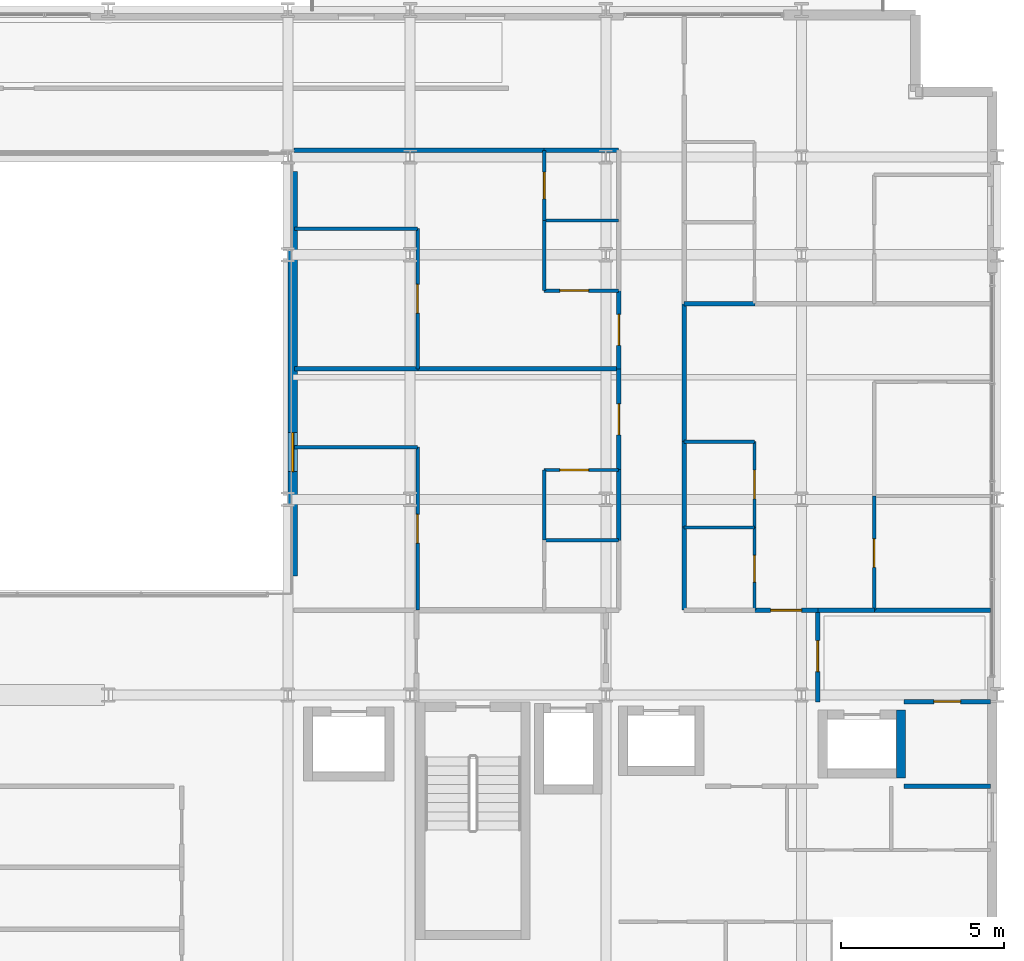
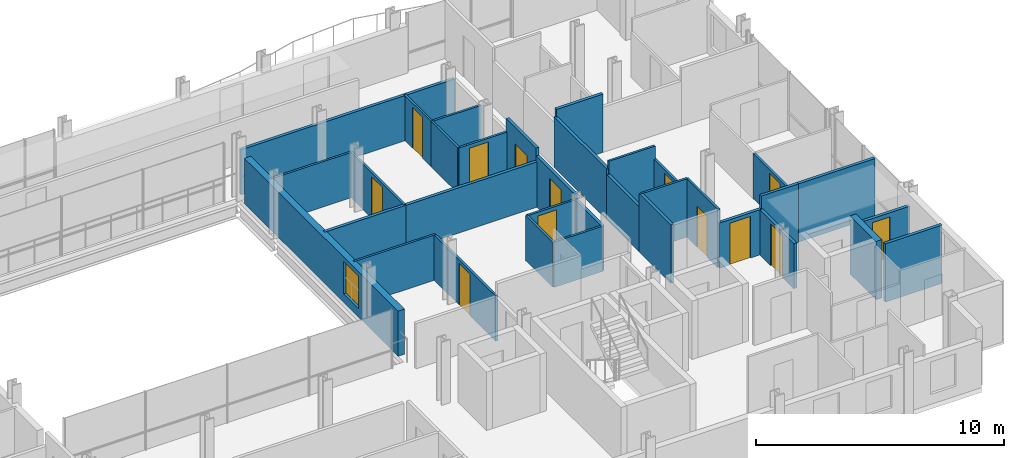
# One storey, part 35 of 40: 35 walls, 13 doors, 1 window, 14 openings.
"""IFC4 building model written with IfcOpenShell, lengths in metres."""

from ifc_helpers import new_model, si_unit, direction, frame, frame_2d, origin, place, context, subcontext, project, spatial, rectangle, extrude, material, layer, layer_set, type_object, element, fill, save


model = new_model("IFC4")

# Units and contexts
model_context = context("Model", 3, precision=1e-05, world=origin(), true_north=direction((0.0, 1.0)))
body_context = subcontext(model_context, "Body", "Model", "MODEL_VIEW")
ifc_project = project(units=[si_unit("LENGTHUNIT", "METRE"), si_unit("AREAUNIT", "SQUARE_METRE"), si_unit("VOLUMEUNIT", "CUBIC_METRE"), si_unit("PLANEANGLEUNIT", "RADIAN"), si_unit("MASSUNIT", "GRAM", prefix="KILO")], contexts=[model_context])

# Site, building, storey
site_placement = place(None, origin())
site = spatial("IfcSite", under=ifc_project, at=site_placement, CompositionType="ELEMENT")
building_placement = place(site_placement, origin())
building = spatial("IfcBuilding", under=site, at=building_placement, Name="Brevholm Reach", CompositionType="ELEMENT")
storey_placement = place(building_placement, frame((0.0, 0.0, 62.10009765625)))
storey = spatial("IfcBuildingStorey", under=building, at=storey_placement, Name="L17", CompositionType="ELEMENT", Elevation=62.10009765625)

# Wall
ifc_material_1 = material(Name="Concrete C50/60", Category="concrete")
ifc_layer_1 = layer(ifc_material_1, 0.280029296875)
ifc_layer_set_1 = layer_set([ifc_layer_1], Name="Concrete C50/60")
wall_type_1 = type_object("IfcWallType", Name="WAL-COR-280", PredefinedType="SHEAR", material=ifc_layer_set_1)
wall_1_placement = place(storey_placement, frame((57.050048828125, 7.4599609375, 0.0), z_axis=(0.0, 0.0, 1.0), x_axis=(0.0, 1.0, 0.0)))
element("IfcWall", 1, at=wall_1_placement, inside=storey, type_object=wall_type_1, Name="L17 Lift PL-L2 Shaft Wall E", PredefinedType="SHEAR", context=body_context, shape_type="SweptSolid", body=[
    extrude(rectangle(XDim=2.080078125, YDim=0.280029296875, at=frame_2d((1.0400390625, 0.0))), origin(), (0.0, 0.0, 1.0), 2.869873046875),
])

# Wall, opening, window
ifc_material_2 = material(Name="Concrete C40/50", Category="concrete")
ifc_layer_2 = layer(ifc_material_2, 0.300048828125)
ifc_layer_set_2 = layer_set([ifc_layer_2], Name="Concrete C40/50")
wall_type_2 = type_object("IfcWallType", Name="WAL-EXT-300", PredefinedType="STANDARD", material=ifc_layer_set_2)
wall_2_placement = place(storey_placement, frame((38.39990234375, 13.64990234375, 0.0), z_axis=(0.0, 0.0, 1.0), x_axis=(0.0, 1.0, 0.0)))
wall_2 = element("IfcWall", 2, at=wall_2_placement, inside=storey, type_object=wall_type_2, Name="L17 Facade Wall WAL-L17-AT-E", PredefinedType="STANDARD", context=body_context, shape_type="SweptSolid", body=[
    extrude(rectangle(XDim=12.400146484375, YDim=0.300048828125, at=frame_2d((6.2001953125, 0.0))), origin(), (0.0, 0.0, 1.0), 2.224609375),
])
opening_1_placement = place(wall_2_placement, frame((3.199951171875, 0.0, 0.405029296875)))
opening_1 = element("IfcOpeningElement", 3, at=opening_1_placement, cuts=wall_2, Name="Opening WN-08", PredefinedType="OPENING", context=body_context, shape_type="SweptSolid", body=[
    extrude(rectangle(XDim=1.199951171875, YDim=1.60009765625, at=frame_2d((0.60009765625, 0.800048828125))), frame((0.0, 0.159912109375, 0.0), z_axis=(0.0, -1.0, 0.0), x_axis=(1.0, 0.0, 0.0)), (0.0, 0.0, 1.0), 0.320068359375),
])
ifc_material_3 = material(Name="Dark Anodised Aluminium and Solar-Control IGU Glass", Category="aluminium")
window_type = type_object("IfcWindowType", Name="WIN-RES-1200", PartitioningType="SINGLE_PANEL", PredefinedType="WINDOW", material=ifc_material_3)
window_placement = place(opening_1_placement, origin())
window = element("IfcWindow", 4, at=window_placement, inside=storey, type_object=window_type, Name="L17 Window WIN-L17-AT-E1", OverallHeight=1.60009765625, OverallWidth=1.199951171875, PartitioningType="SINGLE_PANEL", PredefinedType="WINDOW", context=body_context, shape_type="SweptSolid", body=[
    extrude(rectangle(XDim=1.199951171875, YDim=1.60009765625, at=frame_2d((0.60009765625, 0.800048828125))), frame((0.0, 0.030029296875, 0.0), z_axis=(0.0, -1.0, 0.0), x_axis=(1.0, 0.0, 0.0)), (0.0, 0.0, 1.0), 0.06005859375),
])
fill(opening_1, window)

# Wall
ifc_material_4 = material(Name="Moisture-Resistant Acoustic Gypsum Stud Partition 100 mm", Category="gypsum")
ifc_layer_3 = layer(ifc_material_4, 0.10009765625)
ifc_layer_set_3 = layer_set([ifc_layer_3], Name="Moisture-Resistant Acoustic Gypsum Stud Partition 100 mm")
wall_type_3 = type_object("IfcWallType", Name="WAL-PRT-100", PredefinedType="PARTITIONING", material=ifc_layer_set_3)
wall_3_placement = place(storey_placement, frame((46.112060546875, 14.75, 0.0), z_axis=(0.0, 0.0, 1.0), x_axis=(1.0, 0.0, 0.0)))
element("IfcWall", 5, at=wall_3_placement, inside=storey, type_object=wall_type_3, Name="L17 Internal Partition 117", PredefinedType="PARTITIONING", context=body_context, shape_type="SweptSolid", body=[
    extrude(rectangle(XDim=2.283935546875, YDim=0.10009765625, at=frame_2d((1.14208984375, 0.0))), origin(), (0.0, 0.0, 1.0), 2.224609375),
])

# Wall, opening, door
wall_4_placement = place(storey_placement, frame((46.112060546875, 16.89990234375, 0.0), z_axis=(0.0, 0.0, 1.0), x_axis=(1.0, 0.0, 0.0)))
wall_4 = element("IfcWall", 6, at=wall_4_placement, inside=storey, type_object=wall_type_3, Name="L17 Internal Partition 119", PredefinedType="PARTITIONING", context=body_context, shape_type="SweptSolid", body=[
    extrude(rectangle(XDim=2.283935546875, YDim=0.10009765625, at=frame_2d((1.14208984375, 0.0))), origin(), (0.0, 0.0, 1.0), 2.224609375),
])
opening_2_placement = place(wall_4_placement, frame((0.48193359375, 0.0, 0.0)))
opening_2 = element("IfcOpeningElement", 7, at=opening_2_placement, cuts=wall_4, Name="Opening ID-01", PredefinedType="OPENING", context=body_context, shape_type="SweptSolid", body=[
    extrude(rectangle(XDim=0.8798828125, YDim=2.0400390625, at=frame_2d((0.43994140625, 1.02001953125))), frame((0.0, 0.06005859375, 0.0), z_axis=(0.0, -1.0, 0.0), x_axis=(1.0, 0.0, 0.0)), (0.0, 0.0, 1.0), 0.1201171875),
])
ifc_material_5 = material(Name="Lacquered Ash Solid-Core Acoustic Internal Door", Category="timber")
door_type_1 = type_object("IfcDoorType", Name="DOR-INT-880", OperationType="NOTDEFINED", PredefinedType="DOOR", material=ifc_material_5)
door_1_placement = place(opening_2_placement, origin())
door_1 = element("IfcDoor", 8, at=door_1_placement, inside=storey, type_object=door_type_1, Name="L17 Internal Door 046", OperationType="SINGLE_SWING_RIGHT", OverallHeight=2.0400390625, OverallWidth=0.8798828125, PredefinedType="DOOR", context=body_context, shape_type="SweptSolid", body=[
    extrude(rectangle(XDim=0.8798828125, YDim=2.0400390625, at=frame_2d((0.43994140625, 1.02001953125))), frame((0.0, 0.02490234375, 0.0), z_axis=(0.0, -1.0, 0.0), x_axis=(1.0, 0.0, 0.0)), (0.0, 0.0, 1.0), 0.050048828125),
])
fill(opening_2, door_1)

# Wall
wall_5_placement = place(storey_placement, frame((46.112060546875, 14.75390625, 0.0), z_axis=(0.0, 0.0, 1.0), x_axis=(0.0, 1.0, 0.0)))
element("IfcWall", 9, at=wall_5_placement, inside=storey, type_object=wall_type_3, Name="L17 Internal Partition 120", PredefinedType="PARTITIONING", context=body_context, shape_type="SweptSolid", body=[
    extrude(rectangle(XDim=2.14599609375, YDim=0.10009765625, at=frame_2d((1.072998046875, 0.0))), origin(), (0.0, 0.0, 1.0), 2.224609375),
])

# Wall, opening, door
wall_6_placement = place(storey_placement, frame((42.23095703125, 12.60400390625, 0.0), z_axis=(0.0, 0.0, 1.0), x_axis=(0.0, 1.0, 0.0)))
wall_6 = element("IfcWall", 10, at=wall_6_placement, inside=storey, type_object=wall_type_3, Name="L17 Internal Partition 121", PredefinedType="PARTITIONING", context=body_context, shape_type="SweptSolid", body=[
    extrude(rectangle(XDim=4.99609375, YDim=0.10009765625, at=frame_2d((2.498046875, 0.0))), origin(), (0.0, 0.0, 1.0), 2.224609375),
])
opening_3_placement = place(wall_6_placement, frame((2.05810546875, 0.0, 0.0)))
opening_3 = element("IfcOpeningElement", 11, at=opening_3_placement, cuts=wall_6, Name="Opening ID-01", PredefinedType="OPENING", context=body_context, shape_type="SweptSolid", body=[
    extrude(rectangle(XDim=0.8798828125, YDim=2.0400390625, at=frame_2d((0.43994140625, 1.02001953125))), frame((0.0, 0.06005859375, 0.0), z_axis=(0.0, -1.0, 0.0), x_axis=(1.0, 0.0, 0.0)), (0.0, 0.0, 1.0), 0.1201171875),
])
door_2_placement = place(opening_3_placement, origin())
door_2 = element("IfcDoor", 12, at=door_2_placement, inside=storey, type_object=door_type_1, Name="L17 Internal Door 047", OperationType="SINGLE_SWING_LEFT", OverallHeight=2.0400390625, OverallWidth=0.8798828125, PredefinedType="DOOR", context=body_context, shape_type="SweptSolid", body=[
    extrude(rectangle(XDim=0.8798828125, YDim=2.0400390625, at=frame_2d((0.43994140625, 1.02001953125))), frame((0.0, 0.02490234375, 0.0), z_axis=(0.0, -1.0, 0.0), x_axis=(1.0, 0.0, 0.0)), (0.0, 0.0, 1.0), 0.050048828125),
])
fill(opening_3, door_2)

# Walls
wall_7_placement = place(storey_placement, frame((38.449951171875, 17.60009765625, 0.0), z_axis=(0.0, 0.0, 1.0), x_axis=(1.0, 0.0, 0.0)))
element("IfcWall", 13, at=wall_7_placement, inside=storey, type_object=wall_type_3, Name="L17 Internal Partition 122", PredefinedType="PARTITIONING", context=body_context, shape_type="SweptSolid", body=[
    extrude(rectangle(XDim=3.781005859375, YDim=0.10009765625, at=frame_2d((1.890625, 0.0))), origin(), (0.0, 0.0, 1.0), 2.224609375),
])
wall_8_placement = place(storey_placement, frame((46.112060546875, 24.550048828125, 0.0), z_axis=(0.0, 0.0, 1.0), x_axis=(1.0, 0.0, 0.0)))
element("IfcWall", 14, at=wall_8_placement, inside=storey, type_object=wall_type_3, Name="L17 Internal Partition 125", PredefinedType="PARTITIONING", context=body_context, shape_type="SweptSolid", body=[
    extrude(rectangle(XDim=2.283935546875, YDim=0.10009765625, at=frame_2d((1.14208984375, 0.0))), origin(), (0.0, 0.0, 1.0), 2.224609375),
])

# Wall, opening, door
wall_9_placement = place(storey_placement, frame((46.112060546875, 24.550048828125, 0.0), z_axis=(0.0, 0.0, 1.0), x_axis=(0.0, 1.0, 0.0)))
wall_9 = element("IfcWall", 15, at=wall_9_placement, inside=storey, type_object=wall_type_3, Name="L17 Internal Partition 126", PredefinedType="PARTITIONING", context=body_context, shape_type="SweptSolid", body=[
    extrude(rectangle(XDim=2.14599609375, YDim=0.10009765625, at=frame_2d((1.072998046875, 0.0))), origin(), (0.0, 0.0, 1.0), 2.224609375),
])
opening_4_placement = place(wall_9_placement, frame((0.6630859375, 0.0, 0.0)))
opening_4 = element("IfcOpeningElement", 16, at=opening_4_placement, cuts=wall_9, Name="Opening ID-03", PredefinedType="OPENING", context=body_context, shape_type="SweptSolid", body=[
    extrude(rectangle(XDim=0.820068359375, YDim=2.02001953125, at=frame_2d((0.41015625, 1.010009765625))), frame((0.0, 0.06005859375, 0.0), z_axis=(0.0, -1.0, 0.0), x_axis=(1.0, 0.0, 0.0)), (0.0, 0.0, 1.0), 0.1201171875),
])
ifc_material_6 = material(Name="Moisture-Resistant Painted Timber Internal Bathroom Door", Category="wood")
door_type_2 = type_object("IfcDoorType", Name="DOR-BATH-820", OperationType="NOTDEFINED", PredefinedType="DOOR", material=ifc_material_6)
door_3_placement = place(opening_4_placement, origin())
door_3 = element("IfcDoor", 17, at=door_3_placement, inside=storey, type_object=door_type_2, Name="L17 Internal Door 048", OperationType="SINGLE_SWING_RIGHT", OverallHeight=2.02001953125, OverallWidth=0.820068359375, PredefinedType="DOOR", context=body_context, shape_type="SweptSolid", body=[
    extrude(rectangle(XDim=0.820068359375, YDim=2.02001953125, at=frame_2d((0.41015625, 1.010009765625))), frame((0.0, 0.02490234375, 0.0), z_axis=(0.0, -1.0, 0.0), x_axis=(1.0, 0.0, 0.0)), (0.0, 0.0, 1.0), 0.050048828125),
])
fill(opening_4, door_3)

wall_10_placement = place(storey_placement, frame((46.112060546875, 22.39990234375, 0.0), z_axis=(0.0, 0.0, 1.0), x_axis=(1.0, 0.0, 0.0)))
wall_10 = element("IfcWall", 18, at=wall_10_placement, inside=storey, type_object=wall_type_3, Name="L17 Internal Partition 127", PredefinedType="PARTITIONING", context=body_context, shape_type="SweptSolid", body=[
    extrude(rectangle(XDim=2.283935546875, YDim=0.10009765625, at=frame_2d((1.14208984375, 0.0))), origin(), (0.0, 0.0, 1.0), 2.224609375),
])
opening_5_placement = place(wall_10_placement, frame((0.48193359375, 0.0, 0.0)))
opening_5 = element("IfcOpeningElement", 19, at=opening_5_placement, cuts=wall_10, Name="Opening ID-01", PredefinedType="OPENING", context=body_context, shape_type="SweptSolid", body=[
    extrude(rectangle(XDim=0.8798828125, YDim=2.0400390625, at=frame_2d((0.43994140625, 1.02001953125))), frame((0.0, 0.06005859375, 0.0), z_axis=(0.0, -1.0, 0.0), x_axis=(1.0, 0.0, 0.0)), (0.0, 0.0, 1.0), 0.1201171875),
])
door_4_placement = place(opening_5_placement, origin())
door_4 = element("IfcDoor", 20, at=door_4_placement, inside=storey, type_object=door_type_1, Name="L17 Internal Door 049", OperationType="SINGLE_SWING_LEFT", OverallHeight=2.0400390625, OverallWidth=0.8798828125, PredefinedType="DOOR", context=body_context, shape_type="SweptSolid", body=[
    extrude(rectangle(XDim=0.8798828125, YDim=2.0400390625, at=frame_2d((0.43994140625, 1.02001953125))), frame((0.0, 0.02490234375, 0.0), z_axis=(0.0, -1.0, 0.0), x_axis=(1.0, 0.0, 0.0)), (0.0, 0.0, 1.0), 0.050048828125),
])
fill(opening_5, door_4)

# Wall
wall_11_placement = place(storey_placement, frame((46.112060546875, 22.39990234375, 0.0), z_axis=(0.0, 0.0, 1.0), x_axis=(0.0, 1.0, 0.0)))
element("IfcWall", 21, at=wall_11_placement, inside=storey, type_object=wall_type_3, Name="L17 Internal Partition 128", PredefinedType="PARTITIONING", context=body_context, shape_type="SweptSolid", body=[
    extrude(rectangle(XDim=2.14599609375, YDim=0.10009765625, at=frame_2d((1.072998046875, 0.0))), origin(), (0.0, 0.0, 1.0), 2.224609375),
])

# Wall, opening, door
wall_12_placement = place(storey_placement, frame((42.23095703125, 20.00390625, 0.0), z_axis=(0.0, 0.0, 1.0), x_axis=(0.0, 1.0, 0.0)))
wall_12 = element("IfcWall", 22, at=wall_12_placement, inside=storey, type_object=wall_type_3, Name="L17 Internal Partition 129", PredefinedType="PARTITIONING", context=body_context, shape_type="SweptSolid", body=[
    extrude(rectangle(XDim=4.296142578125, YDim=0.10009765625, at=frame_2d((2.14794921875, 0.0))), origin(), (0.0, 0.0, 1.0), 2.224609375),
])
opening_6_placement = place(wall_12_placement, frame((1.7080078125, 0.0, 0.0)))
opening_6 = element("IfcOpeningElement", 23, at=opening_6_placement, cuts=wall_12, Name="Opening ID-01", PredefinedType="OPENING", context=body_context, shape_type="SweptSolid", body=[
    extrude(rectangle(XDim=0.8798828125, YDim=2.0400390625, at=frame_2d((0.43994140625, 1.02001953125))), frame((0.0, 0.06005859375, 0.0), z_axis=(0.0, -1.0, 0.0), x_axis=(1.0, 0.0, 0.0)), (0.0, 0.0, 1.0), 0.1201171875),
])
door_5_placement = place(opening_6_placement, origin())
door_5 = element("IfcDoor", 24, at=door_5_placement, inside=storey, type_object=door_type_1, Name="L17 Internal Door 050", OperationType="SINGLE_SWING_RIGHT", OverallHeight=2.0400390625, OverallWidth=0.8798828125, PredefinedType="DOOR", context=body_context, shape_type="SweptSolid", body=[
    extrude(rectangle(XDim=0.8798828125, YDim=2.0400390625, at=frame_2d((0.43994140625, 1.02001953125))), frame((0.0, 0.02490234375, 0.0), z_axis=(0.0, -1.0, 0.0), x_axis=(1.0, 0.0, 0.0)), (0.0, 0.0, 1.0), 0.050048828125),
])
fill(opening_6, door_5)

# Walls
wall_13_placement = place(storey_placement, frame((38.449951171875, 24.300048828125, 0.0), z_axis=(0.0, 0.0, 1.0), x_axis=(1.0, 0.0, 0.0)))
element("IfcWall", 25, at=wall_13_placement, inside=storey, type_object=wall_type_3, Name="L17 Internal Partition 130", PredefinedType="PARTITIONING", context=body_context, shape_type="SweptSolid", body=[
    extrude(rectangle(XDim=3.781005859375, YDim=0.10009765625, at=frame_2d((1.890625, 0.0))), origin(), (0.0, 0.0, 1.0), 2.224609375),
])
wall_14_placement = place(storey_placement, frame((50.404052734375, 15.137939453125, 0.0), z_axis=(0.0, 0.0, 1.0), x_axis=(1.0, 0.0, 0.0)))
element("IfcWall", 26, at=wall_14_placement, inside=storey, type_object=wall_type_3, Name="L17 Internal Partition 131", PredefinedType="PARTITIONING", context=body_context, shape_type="SweptSolid", body=[
    extrude(rectangle(XDim=2.157958984375, YDim=0.10009765625, at=frame_2d((1.0791015625, 0.0))), origin(), (0.0, 0.0, 1.0), 2.869873046875),
])

# Wall, opening, door
wall_15_placement = place(storey_placement, frame((52.56201171875, 12.60400390625, 0.0), z_axis=(0.0, 0.0, 1.0), x_axis=(0.0, 1.0, 0.0)))
wall_15 = element("IfcWall", 27, at=wall_15_placement, inside=storey, type_object=wall_type_3, Name="L17 Internal Partition 132", PredefinedType="PARTITIONING", context=body_context, shape_type="SweptSolid", body=[
    extrude(rectangle(XDim=2.533935546875, YDim=0.10009765625, at=frame_2d((1.26708984375, 0.0))), origin(), (0.0, 0.0, 1.0), 2.869873046875),
])
opening_7_placement = place(wall_15_placement, frame((0.85693359375, 0.0, 0.0)))
opening_7 = element("IfcOpeningElement", 28, at=opening_7_placement, cuts=wall_15, Name="Opening ID-03", PredefinedType="OPENING", context=body_context, shape_type="SweptSolid", body=[
    extrude(rectangle(XDim=0.820068359375, YDim=2.02001953125, at=frame_2d((0.41015625, 1.010009765625))), frame((0.0, 0.06005859375, 0.0), z_axis=(0.0, -1.0, 0.0), x_axis=(1.0, 0.0, 0.0)), (0.0, 0.0, 1.0), 0.1201171875),
])
door_6_placement = place(opening_7_placement, origin())
door_6 = element("IfcDoor", 29, at=door_6_placement, inside=storey, type_object=door_type_2, Name="L17 Internal Door 051", OperationType="SINGLE_SWING_LEFT", OverallHeight=2.02001953125, OverallWidth=0.820068359375, PredefinedType="DOOR", context=body_context, shape_type="SweptSolid", body=[
    extrude(rectangle(XDim=0.820068359375, YDim=2.02001953125, at=frame_2d((0.41015625, 1.010009765625))), frame((0.0, 0.02490234375, 0.0), z_axis=(0.0, -1.0, 0.0), x_axis=(1.0, 0.0, 0.0)), (0.0, 0.0, 1.0), 0.050048828125),
])
fill(opening_7, door_6)

wall_16_placement = place(storey_placement, frame((52.56201171875, 15.14208984375, 0.0), z_axis=(0.0, 0.0, 1.0), x_axis=(0.0, 1.0, 0.0)))
wall_16 = element("IfcWall", 30, at=wall_16_placement, inside=storey, type_object=wall_type_3, Name="L17 Internal Partition 133", PredefinedType="PARTITIONING", context=body_context, shape_type="SweptSolid", body=[
    extrude(rectangle(XDim=2.6279296875, YDim=0.10009765625, at=frame_2d((1.31396484375, 0.0))), origin(), (0.0, 0.0, 1.0), 2.224609375),
])
opening_8_placement = place(wall_16_placement, frame((0.8740234375, 0.0, 0.0)))
opening_8 = element("IfcOpeningElement", 31, at=opening_8_placement, cuts=wall_16, Name="Opening ID-01", PredefinedType="OPENING", context=body_context, shape_type="SweptSolid", body=[
    extrude(rectangle(XDim=0.8798828125, YDim=2.0400390625, at=frame_2d((0.43994140625, 1.02001953125))), frame((0.0, 0.06005859375, 0.0), z_axis=(0.0, -1.0, 0.0), x_axis=(1.0, 0.0, 0.0)), (0.0, 0.0, 1.0), 0.1201171875),
])
door_7_placement = place(opening_8_placement, origin())
door_7 = element("IfcDoor", 32, at=door_7_placement, inside=storey, type_object=door_type_1, Name="L17 Internal Door 052", OperationType="SINGLE_SWING_RIGHT", OverallHeight=2.0400390625, OverallWidth=0.8798828125, PredefinedType="DOOR", context=body_context, shape_type="SweptSolid", body=[
    extrude(rectangle(XDim=0.8798828125, YDim=2.0400390625, at=frame_2d((0.43994140625, 1.02001953125))), frame((0.0, 0.02490234375, 0.0), z_axis=(0.0, -1.0, 0.0), x_axis=(1.0, 0.0, 0.0)), (0.0, 0.0, 1.0), 0.050048828125),
])
fill(opening_8, door_7)

# Wall
wall_17_placement = place(storey_placement, frame((50.404052734375, 17.77001953125, 0.0), z_axis=(0.0, 0.0, 1.0), x_axis=(1.0, 0.0, 0.0)))
element("IfcWall", 33, at=wall_17_placement, inside=storey, type_object=wall_type_3, Name="L17 Internal Partition 134", PredefinedType="PARTITIONING", context=body_context, shape_type="SweptSolid", body=[
    extrude(rectangle(XDim=2.157958984375, YDim=0.10009765625, at=frame_2d((1.0791015625, 0.0))), origin(), (0.0, 0.0, 1.0), 2.869873046875),
])

# Wall, opening, door
wall_18_placement = place(storey_placement, frame((56.22802734375, 12.60400390625, 0.0), z_axis=(0.0, 0.0, 1.0), x_axis=(0.0, 1.0, 0.0)))
wall_18 = element("IfcWall", 34, at=wall_18_placement, inside=storey, type_object=wall_type_3, Name="L17 Internal Partition 136", PredefinedType="PARTITIONING", context=body_context, shape_type="SweptSolid", body=[
    extrude(rectangle(XDim=3.49609375, YDim=0.10009765625, at=frame_2d((1.748046875, 0.0))), origin(), (0.0, 0.0, 1.0), 2.224609375),
])
opening_9_placement = place(wall_18_placement, frame((1.30810546875, 0.0, 0.0)))
opening_9 = element("IfcOpeningElement", 35, at=opening_9_placement, cuts=wall_18, Name="Opening ID-01", PredefinedType="OPENING", context=body_context, shape_type="SweptSolid", body=[
    extrude(rectangle(XDim=0.8798828125, YDim=2.0400390625, at=frame_2d((0.43994140625, 1.02001953125))), frame((0.0, 0.06005859375, 0.0), z_axis=(0.0, -1.0, 0.0), x_axis=(1.0, 0.0, 0.0)), (0.0, 0.0, 1.0), 0.1201171875),
])
door_8_placement = place(opening_9_placement, origin())
door_8 = element("IfcDoor", 36, at=door_8_placement, inside=storey, type_object=door_type_1, Name="L17 Internal Door 053", OperationType="SINGLE_SWING_LEFT", OverallHeight=2.0400390625, OverallWidth=0.8798828125, PredefinedType="DOOR", context=body_context, shape_type="SweptSolid", body=[
    extrude(rectangle(XDim=0.8798828125, YDim=2.0400390625, at=frame_2d((0.43994140625, 1.02001953125))), frame((0.0, 0.02490234375, 0.0), z_axis=(0.0, -1.0, 0.0), x_axis=(1.0, 0.0, 0.0)), (0.0, 0.0, 1.0), 0.050048828125),
])
fill(opening_9, door_8)

ifc_material_7 = material(Name="Twin-Stud Acoustic Fire-Rated Gypsum Partition 140 mm", Category="gypsum")
ifc_layer_4 = layer(ifc_material_7, 0.139892578125)
ifc_layer_set_4 = layer_set([ifc_layer_4], Name="Twin-Stud Acoustic Fire-Rated Gypsum Partition 140 mm")
wall_type_4 = type_object("IfcWallType", Name="WAL-PRT-140", PredefinedType="PARTITIONING", material=ifc_layer_set_4)
wall_19_placement = place(storey_placement, frame((54.5, 9.788818359375, 0.0), z_axis=(0.0, 0.0, 1.0), x_axis=(0.0, 1.0, 0.0)))
wall_19 = element("IfcWall", 37, at=wall_19_placement, inside=storey, type_object=wall_type_4, Name="L17 Internal Partition 008", PredefinedType="PARTITIONING", context=body_context, shape_type="SweptSolid", body=[
    extrude(rectangle(XDim=2.811279296875, YDim=0.139892578125, at=frame_2d((1.40576171875, 0.0))), origin(), (0.0, 0.0, 1.0), 2.224609375),
])
opening_10_placement = place(wall_19_placement, frame((0.9306640625, 0.0, 0.0)))
opening_10 = element("IfcOpeningElement", 38, at=opening_10_placement, cuts=wall_19, Name="Opening ID-30", PredefinedType="OPENING", context=body_context, shape_type="SweptSolid", body=[
    extrude(rectangle(XDim=0.949951171875, YDim=2.050048828125, at=frame_2d((0.47509765625, 1.02490234375))), frame((0.0, 0.079833984375, 0.0), z_axis=(0.0, -1.0, 0.0), x_axis=(1.0, 0.0, 0.0)), (0.0, 0.0, 1.0), 0.159912109375),
])
ifc_material_8 = material(Name="European Oak Veneered Solid-Core Fire Entrance Door", Category="timber")
door_type_3 = type_object("IfcDoorType", Name="DOR-FLT-FD30S", OperationType="NOTDEFINED", PredefinedType="DOOR", material=ifc_material_8)
door_9_placement = place(opening_10_placement, origin())
door_9 = element("IfcDoor", 39, at=door_9_placement, inside=storey, type_object=door_type_3, Name="L17 Internal Door 006", OperationType="SINGLE_SWING_RIGHT", OverallHeight=2.050048828125, OverallWidth=0.949951171875, PredefinedType="DOOR", context=body_context, shape_type="SweptSolid", body=[
    extrude(rectangle(XDim=0.949951171875, YDim=2.050048828125, at=frame_2d((0.47509765625, 1.02490234375))), frame((0.0, 0.02490234375, 0.0), z_axis=(0.0, -1.0, 0.0), x_axis=(1.0, 0.0, 0.0)), (0.0, 0.0, 1.0), 0.050048828125),
])
fill(opening_10, door_9)

wall_20_placement = place(storey_placement, frame((52.5546875, 12.60009765625, 0.0), z_axis=(0.0, 0.0, 1.0), x_axis=(1.0, 0.0, 0.0)))
wall_20 = element("IfcWall", 40, at=wall_20_placement, inside=storey, type_object=wall_type_4, Name="L17 Internal Partition 012", PredefinedType="PARTITIONING", context=body_context, shape_type="SweptSolid", body=[
    extrude(rectangle(XDim=1.9453125, YDim=0.139892578125, at=frame_2d((0.97265625, 0.0))), origin(), (0.0, 0.0, 1.0), 2.224609375),
])
opening_11_placement = place(wall_20_placement, frame((0.497802734375, 0.0, 0.0)))
opening_11 = element("IfcOpeningElement", 41, at=opening_11_placement, cuts=wall_20, Name="Opening ID-30", PredefinedType="OPENING", context=body_context, shape_type="SweptSolid", body=[
    extrude(rectangle(XDim=0.949951171875, YDim=2.050048828125, at=frame_2d((0.47509765625, 1.02490234375))), frame((0.0, 0.079833984375, 0.0), z_axis=(0.0, -1.0, 0.0), x_axis=(1.0, 0.0, 0.0)), (0.0, 0.0, 1.0), 0.159912109375),
])
door_10_placement = place(opening_11_placement, origin())
door_10 = element("IfcDoor", 42, at=door_10_placement, inside=storey, type_object=door_type_3, Name="L17 Internal Door 008", OperationType="SINGLE_SWING_RIGHT", OverallHeight=2.050048828125, OverallWidth=0.949951171875, PredefinedType="DOOR", context=body_context, shape_type="SweptSolid", body=[
    extrude(rectangle(XDim=0.949951171875, YDim=2.050048828125, at=frame_2d((0.47509765625, 1.02490234375))), frame((0.0, 0.02490234375, 0.0), z_axis=(0.0, -1.0, 0.0), x_axis=(1.0, 0.0, 0.0)), (0.0, 0.0, 1.0), 0.050048828125),
])
fill(opening_11, door_10)

# Wall
wall_21_placement = place(storey_placement, frame((48.39990234375, 14.74267578125, 0.0), z_axis=(0.0, 0.0, 1.0), x_axis=(0.0, 1.0, 0.0)))
element("IfcWall", 43, at=wall_21_placement, inside=storey, type_object=wall_type_4, Name="L17 Internal Partition 043", PredefinedType="PARTITIONING", context=body_context, shape_type="SweptSolid", body=[
    extrude(rectangle(XDim=2.168701171875, YDim=0.139892578125, at=frame_2d((1.08447265625, 0.0))), origin(), (0.0, 0.0, 1.0), 2.224609375),
])

# Wall, opening, door
wall_22_placement = place(storey_placement, frame((48.39990234375, 16.892578125, 0.0), z_axis=(0.0, 0.0, 1.0), x_axis=(0.0, 1.0, 0.0)))
wall_22 = element("IfcWall", 44, at=wall_22_placement, inside=storey, type_object=wall_type_4, Name="L17 Internal Partition 044", PredefinedType="PARTITIONING", context=body_context, shape_type="SweptSolid", body=[
    extrude(rectangle(XDim=3.11865234375, YDim=0.139892578125, at=frame_2d((1.559326171875, 0.0))), origin(), (0.0, 0.0, 1.0), 2.489990234375),
])
opening_12_placement = place(wall_22_placement, frame((1.084228515625, 0.0, 0.0)))
opening_12 = element("IfcOpeningElement", 45, at=opening_12_placement, cuts=wall_22, Name="Opening ID-30", PredefinedType="OPENING", context=body_context, shape_type="SweptSolid", body=[
    extrude(rectangle(XDim=0.949951171875, YDim=2.050048828125, at=frame_2d((0.47509765625, 1.02490234375))), frame((0.0, 0.079833984375, 0.0), z_axis=(0.0, -1.0, 0.0), x_axis=(1.0, 0.0, 0.0)), (0.0, 0.0, 1.0), 0.159912109375),
])
door_11_placement = place(opening_12_placement, origin())
door_11 = element("IfcDoor", 46, at=door_11_placement, inside=storey, type_object=door_type_3, Name="L17 Internal Door 018", OperationType="SINGLE_SWING_RIGHT", OverallHeight=2.050048828125, OverallWidth=0.949951171875, PredefinedType="DOOR", context=body_context, shape_type="SweptSolid", body=[
    extrude(rectangle(XDim=0.949951171875, YDim=2.050048828125, at=frame_2d((0.47509765625, 1.02490234375))), frame((0.0, 0.02490234375, 0.0), z_axis=(0.0, -1.0, 0.0), x_axis=(1.0, 0.0, 0.0)), (0.0, 0.0, 1.0), 0.050048828125),
])
fill(opening_12, door_11)

wall_23_placement = place(storey_placement, frame((48.39990234375, 19.99267578125, 0.0), z_axis=(0.0, 0.0, 1.0), x_axis=(0.0, 1.0, 0.0)))
wall_23 = element("IfcWall", 47, at=wall_23_placement, inside=storey, type_object=wall_type_4, Name="L17 Internal Partition 047", PredefinedType="PARTITIONING", context=body_context, shape_type="SweptSolid", body=[
    extrude(rectangle(XDim=2.41455078125, YDim=0.139892578125, at=frame_2d((1.207275390625, 0.0))), origin(), (0.0, 0.0, 1.0), 2.869873046875),
])
opening_13_placement = place(wall_23_placement, frame((0.732421875, 0.0, 0.0)))
opening_13 = element("IfcOpeningElement", 48, at=opening_13_placement, cuts=wall_23, Name="Opening ID-30", PredefinedType="OPENING", context=body_context, shape_type="SweptSolid", body=[
    extrude(rectangle(XDim=0.949951171875, YDim=2.050048828125, at=frame_2d((0.47509765625, 1.02490234375))), frame((0.0, 0.079833984375, 0.0), z_axis=(0.0, -1.0, 0.0), x_axis=(1.0, 0.0, 0.0)), (0.0, 0.0, 1.0), 0.159912109375),
])
door_12_placement = place(opening_13_placement, origin())
door_12 = element("IfcDoor", 49, at=door_12_placement, inside=storey, type_object=door_type_3, Name="L17 Internal Door 019", OperationType="SINGLE_SWING_LEFT", OverallHeight=2.050048828125, OverallWidth=0.949951171875, PredefinedType="DOOR", context=body_context, shape_type="SweptSolid", body=[
    extrude(rectangle(XDim=0.949951171875, YDim=2.050048828125, at=frame_2d((0.47509765625, 1.02490234375))), frame((0.0, 0.02490234375, 0.0), z_axis=(0.0, -1.0, 0.0), x_axis=(1.0, 0.0, 0.0)), (0.0, 0.0, 1.0), 0.050048828125),
])
fill(opening_13, door_12)

# Walls
wall_24_placement = place(storey_placement, frame((50.39990234375, 12.60400390625, 0.0), z_axis=(0.0, 0.0, 1.0), x_axis=(0.0, 1.0, 0.0)))
element("IfcWall", 50, at=wall_24_placement, inside=storey, type_object=wall_type_4, Name="L17 Internal Partition 048", PredefinedType="PARTITIONING", context=body_context, shape_type="SweptSolid", body=[
    extrude(rectangle(XDim=2.54541015625, YDim=0.139892578125, at=frame_2d((1.272705078125, 0.0))), origin(), (0.0, 0.0, 1.0), 2.869873046875),
])
wall_25_placement = place(storey_placement, frame((50.39990234375, 15.130615234375, 0.0), z_axis=(0.0, 0.0, 1.0), x_axis=(0.0, 1.0, 0.0)))
element("IfcWall", 51, at=wall_25_placement, inside=storey, type_object=wall_type_4, Name="L17 Internal Partition 049", PredefinedType="PARTITIONING", context=body_context, shape_type="SweptSolid", body=[
    extrude(rectangle(XDim=2.650634765625, YDim=0.139892578125, at=frame_2d((1.3251953125, 0.0))), origin(), (0.0, 0.0, 1.0), 2.224609375),
])
wall_26_placement = place(storey_placement, frame((50.39990234375, 17.7626953125, 0.0), z_axis=(0.0, 0.0, 1.0), x_axis=(0.0, 1.0, 0.0)))
element("IfcWall", 52, at=wall_26_placement, inside=storey, type_object=wall_type_4, Name="L17 Internal Partition 050", PredefinedType="PARTITIONING", context=body_context, shape_type="SweptSolid", body=[
    extrude(rectangle(XDim=4.24853515625, YDim=0.139892578125, at=frame_2d((2.124267578125, 0.0))), origin(), (0.0, 0.0, 1.0), 2.489990234375),
])
wall_27_placement = place(storey_placement, frame((46.1005859375, 26.699951171875, 0.0), z_axis=(0.0, 0.0, 1.0), x_axis=(1.0, 0.0, 0.0)))
element("IfcWall", 53, at=wall_27_placement, inside=storey, type_object=wall_type_4, Name="L17 Internal Partition 056", PredefinedType="PARTITIONING", context=body_context, shape_type="SweptSolid", body=[
    extrude(rectangle(XDim=2.29541015625, YDim=0.139892578125, at=frame_2d((1.147705078125, 0.0))), origin(), (0.0, 0.0, 1.0), 2.224609375),
])
wall_28_placement = place(storey_placement, frame((38.438720703125, 26.699951171875, 0.0), z_axis=(0.0, 0.0, 1.0), x_axis=(1.0, 0.0, 0.0)))
element("IfcWall", 54, at=wall_28_placement, inside=storey, type_object=wall_type_4, Name="L17 Internal Partition 057", PredefinedType="PARTITIONING", context=body_context, shape_type="SweptSolid", body=[
    extrude(rectangle(XDim=7.6806640625, YDim=0.139892578125, at=frame_2d((3.84033203125, 0.0))), origin(), (0.0, 0.0, 1.0), 2.224609375),
])

# Wall, opening, door
wall_29_placement = place(storey_placement, frame((57.138671875, 9.800048828125, 0.0), z_axis=(0.0, 0.0, 1.0), x_axis=(1.0, 0.0, 0.0)))
wall_29 = element("IfcWall", 55, at=wall_29_placement, inside=storey, type_object=wall_type_4, Name="L17 Internal Partition 072", PredefinedType="PARTITIONING", context=body_context, shape_type="SweptSolid", body=[
    extrude(rectangle(XDim=2.661376953125, YDim=0.139892578125, at=frame_2d((1.33056640625, 0.0))), origin(), (0.0, 0.0, 1.0), 2.224609375),
])
opening_14_placement = place(wall_29_placement, frame((0.920654296875, 0.0, 0.0)))
opening_14 = element("IfcOpeningElement", 56, at=opening_14_placement, cuts=wall_29, Name="Opening ID-02", PredefinedType="OPENING", context=body_context, shape_type="SweptSolid", body=[
    extrude(rectangle(XDim=0.820068359375, YDim=2.02001953125, at=frame_2d((0.41015625, 1.010009765625))), frame((0.0, 0.079833984375, 0.0), z_axis=(0.0, -1.0, 0.0), x_axis=(1.0, 0.0, 0.0)), (0.0, 0.0, 1.0), 0.159912109375),
])
ifc_material_9 = material(Name="Moisture-Resistant Painted Timber Fire-Rated Riser and Service Door", Category="wood")
door_type_4 = type_object("IfcDoorType", Name="DOR-SRV-820", OperationType="NOTDEFINED", PredefinedType="DOOR", material=ifc_material_9)
door_13_placement = place(opening_14_placement, origin())
door_13 = element("IfcDoor", 57, at=door_13_placement, inside=storey, type_object=door_type_4, Name="L17 Access Door 058", OperationType="SINGLE_SWING_RIGHT", OverallHeight=2.02001953125, OverallWidth=0.820068359375, PredefinedType="DOOR", context=body_context, shape_type="SweptSolid", body=[
    extrude(rectangle(XDim=0.820068359375, YDim=2.02001953125, at=frame_2d((0.41015625, 1.010009765625))), frame((0.0, 0.02490234375, 0.0), z_axis=(0.0, -1.0, 0.0), x_axis=(1.0, 0.0, 0.0)), (0.0, 0.0, 1.0), 0.050048828125),
])
fill(opening_14, door_13)

# Walls
wall_30_placement = place(storey_placement, frame((56.216796875, 12.60009765625, 0.0), z_axis=(0.0, 0.0, 1.0), x_axis=(1.0, 0.0, 0.0)))
element("IfcWall", 58, at=wall_30_placement, inside=storey, type_object=wall_type_4, Name="L17 Internal Partition 073", PredefinedType="PARTITIONING", context=body_context, shape_type="SweptSolid", body=[
    extrude(rectangle(XDim=3.583251953125, YDim=0.139892578125, at=frame_2d((1.79150390625, 0.0))), origin(), (0.0, 0.0, 1.0), 2.869873046875),
])
wall_31_placement = place(storey_placement, frame((54.50390625, 12.60009765625, 0.0), z_axis=(0.0, 0.0, 1.0), x_axis=(1.0, 0.0, 0.0)))
element("IfcWall", 59, at=wall_31_placement, inside=storey, type_object=wall_type_4, Name="L17 Internal Partition 074", PredefinedType="PARTITIONING", context=body_context, shape_type="SweptSolid", body=[
    extrude(rectangle(XDim=1.7314453125, YDim=0.139892578125, at=frame_2d((0.86572265625, 0.0))), origin(), (0.0, 0.0, 1.0), 2.869873046875),
])
wall_32_placement = place(storey_placement, frame((57.14990234375, 7.199951171875, 0.0), z_axis=(0.0, 0.0, 1.0), x_axis=(1.0, 0.0, 0.0)))
element("IfcWall", 60, at=wall_32_placement, inside=storey, type_object=wall_type_4, Name="L17 Internal Partition 075", PredefinedType="PARTITIONING", context=body_context, shape_type="SweptSolid", body=[
    extrude(rectangle(XDim=2.650146484375, YDim=0.139892578125, at=frame_2d((1.3251953125, 0.0))), origin(), (0.0, 0.0, 1.0), 2.869873046875),
])
wall_33_placement = place(storey_placement, frame((38.449951171875, 20.0, 0.0), z_axis=(0.0, 0.0, 1.0), x_axis=(1.0, 0.0, 0.0)))
element("IfcWall", 61, at=wall_33_placement, inside=storey, type_object=wall_type_4, Name="L17 Internal Partition 123", PredefinedType="PARTITIONING", context=body_context, shape_type="SweptSolid", body=[
    extrude(rectangle(XDim=3.792236328125, YDim=0.139892578125, at=frame_2d((1.89599609375, 0.0))), origin(), (0.0, 0.0, 1.0), 2.224609375),
])
wall_34_placement = place(storey_placement, frame((42.2236328125, 20.0, 0.0), z_axis=(0.0, 0.0, 1.0), x_axis=(1.0, 0.0, 0.0)))
element("IfcWall", 62, at=wall_34_placement, inside=storey, type_object=wall_type_4, Name="L17 Internal Partition 124", PredefinedType="PARTITIONING", context=body_context, shape_type="SweptSolid", body=[
    extrude(rectangle(XDim=6.17236328125, YDim=0.139892578125, at=frame_2d((3.086181640625, 0.0))), origin(), (0.0, 0.0, 1.0), 2.224609375),
])
wall_35_placement = place(storey_placement, frame((50.404052734375, 22.0, 0.0), z_axis=(0.0, 0.0, 1.0), x_axis=(1.0, 0.0, 0.0)))
element("IfcWall", 63, at=wall_35_placement, inside=storey, type_object=wall_type_4, Name="L17 Internal Partition 139", PredefinedType="PARTITIONING", context=body_context, shape_type="SweptSolid", body=[
    extrude(rectangle(XDim=2.169189453125, YDim=0.139892578125, at=frame_2d((1.08447265625, 0.0))), origin(), (0.0, 0.0, 1.0), 2.869873046875),
])

save(model, "model.ifc")
